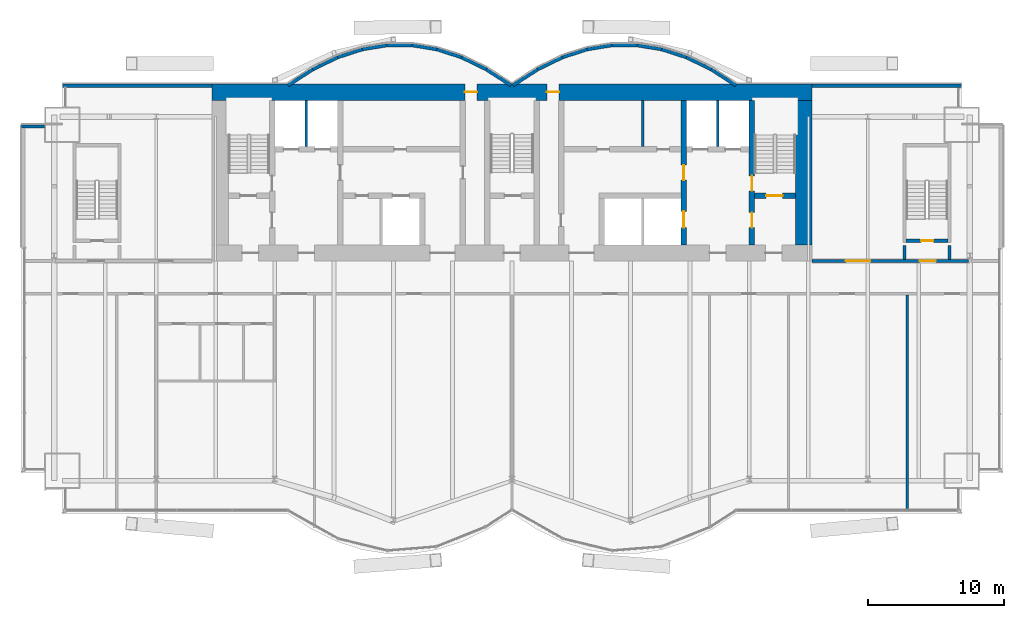
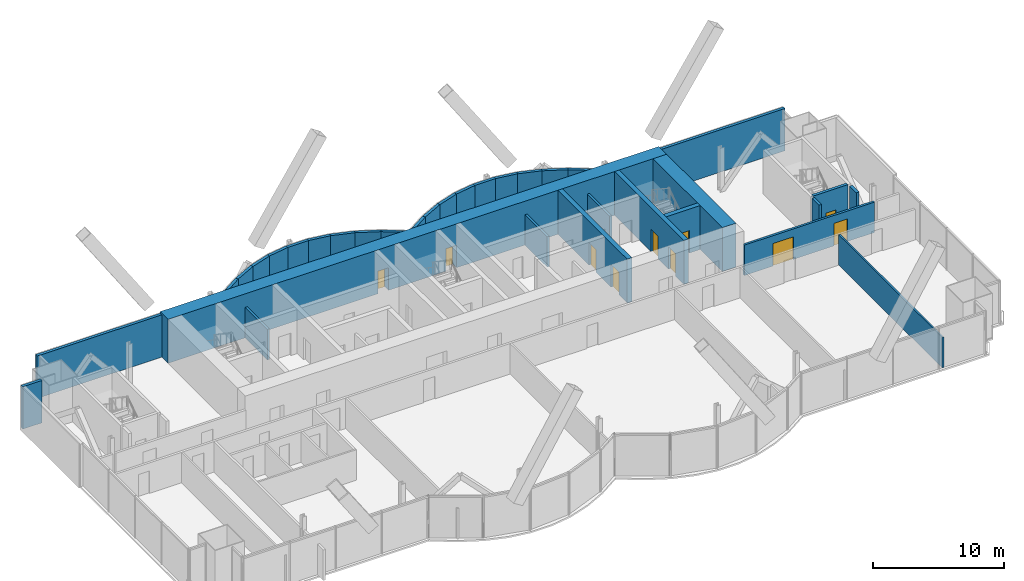
# One storey, part 16 of 20: 34 walls, 10 doors, 10 openings.
"""IFC4 building model written with IfcOpenShell, lengths in metres."""

from ifc_helpers import new_model, si_unit, direction, frame, frame_2d, origin, place, context, subcontext, project, spatial, rectangle, extrude, material, layer, layer_set, layer_usage, type_object, element, fill, save


model = new_model("IFC4")

# Units and contexts
model_context = context("Model", 3, precision=1e-05, world=origin(), true_north=direction((0.0, 1.0)))
body_context = subcontext(model_context, "Body", "Model", "MODEL_VIEW")
ifc_project = project(units=[si_unit("LENGTHUNIT", "METRE"), si_unit("AREAUNIT", "SQUARE_METRE"), si_unit("VOLUMEUNIT", "CUBIC_METRE"), si_unit("PLANEANGLEUNIT", "RADIAN"), si_unit("MASSUNIT", "GRAM", prefix="KILO")], contexts=[model_context])

# Site, building, storey
site_placement = place(None, origin())
site = spatial("IfcSite", under=ifc_project, at=site_placement, CompositionType="ELEMENT")
building_placement = place(site_placement, origin())
building = spatial("IfcBuilding", under=site, at=building_placement, Name="Bicima Exchange Tower", CompositionType="ELEMENT")
storey_placement = place(building_placement, frame((0.0, 0.0, 219.60009765625)))
storey = spatial("IfcBuildingStorey", under=building, at=storey_placement, Name="L49", CompositionType="ELEMENT", Elevation=219.60009765625)

# Walls
ifc_material_1 = material(Name="Gypsum board partition")
ifc_layer_1 = layer(ifc_material_1, 0.199951171875)
ifc_layer_set_1 = layer_set([ifc_layer_1], Name="Gypsum board partition")
wall_type_1 = type_object("IfcWallType", Name="Fire-rated gypsum partition 200 EI120", PredefinedType="PARTITIONING", material=ifc_layer_set_1)
for number, where, z_axis, x_axis, name in (
    (1, (-15.10009765625, -4.60009765625, 0.0), (0.0, 0.0, 1.0), (0.0, 1.0, 0.0), "partition wall 9"),
    (2, (15.10009765625, -4.60009765625, 0.0), (0.0, 0.0, 1.0), (0.0, 1.0, 0.0), "partition wall 21"),
):
    element("IfcWall", number, at=place(storey_placement, frame(where, z_axis=z_axis, x_axis=x_axis)), inside=storey, type_object=wall_type_1, Name=name, PredefinedType="PARTITIONING", context=body_context, shape_type="SweptSolid", body=[
        extrude(rectangle(XDim=3.400146484375, YDim=0.199951171875, at=frame_2d((1.7001953125, 0.0))), origin(), (0.0, 0.0, 1.0), 2.840087890625),
    ])

# Wall, openings, doors
ifc_layer_2 = layer(ifc_material_1, 0.199951171875)
ifc_layer_set_2 = layer_set([ifc_layer_2], Name="Gypsum board partition")
wall_type_2 = type_object("IfcWallType", Name="Fire-rated gypsum partition 200 EI60", PredefinedType="PARTITIONING", material=ifc_layer_set_2)
wall_1_placement = place(storey_placement, frame((22.0, -13.0, 0.0), z_axis=(0.0, 0.0, 1.0), x_axis=(1.0, 0.0, 0.0)))
wall_1 = element("IfcWall", 3, at=wall_1_placement, inside=storey, type_object=wall_type_2, Name="partition wall 6", PredefinedType="PARTITIONING", context=body_context, shape_type="SweptSolid", body=[
    extrude(rectangle(XDim=11.47998046875, YDim=0.199951171875, at=frame_2d((5.739990234375, 0.0))), origin(), (0.0, 0.0, 1.0), 2.840087890625),
])
opening_1_placement = place(wall_1_placement, frame((7.89990234375, 0.0, 0.0)))
opening_1 = element("IfcOpeningElement", 4, at=opening_1_placement, cuts=wall_1, Name="Opening L49-003", PredefinedType="OPENING", context=body_context, shape_type="SweptSolid", body=[
    extrude(rectangle(XDim=1.199951171875, YDim=2.10009765625, at=frame_2d((0.60009765625, 1.050048828125))), frame((0.0, 0.11181640625, 0.0), z_axis=(0.0, -1.0, 0.0), x_axis=(1.0, 0.0, 0.0)), (0.0, 0.0, 1.0), 0.223876953125),
])
opening_2_placement = place(wall_1_placement, frame((2.5, 0.0, 0.0)))
opening_2 = element("IfcOpeningElement", 5, at=opening_2_placement, cuts=wall_1, Name="Opening L49-006", PredefinedType="OPENING", context=body_context, shape_type="SweptSolid", body=[
    extrude(rectangle(XDim=1.800048828125, YDim=2.10009765625, at=frame_2d((0.89990234375, 1.050048828125))), frame((0.0, 0.11181640625, 0.0), z_axis=(0.0, -1.0, 0.0), x_axis=(1.0, 0.0, 0.0)), (0.0, 0.0, 1.0), 0.223876953125),
])
ifc_material_2 = material(Name="Steel fire door leaf", Category="steel")
door_type_1 = type_object("IfcDoorType", Name="Door 1200 swing FD30S", OperationType="SINGLE_SWING_LEFT", PredefinedType="DOOR", material=ifc_material_2)
door_1_placement = place(opening_1_placement, origin())
door_1 = element("IfcDoor", 6, at=door_1_placement, inside=storey, type_object=door_type_1, Name="Door", OperationType="SINGLE_SWING_RIGHT", OverallHeight=2.10009765625, OverallWidth=1.199951171875, PredefinedType="DOOR", context=body_context, shape_type="SweptSolid", body=[
    extrude(rectangle(XDim=1.199951171875, YDim=2.10009765625, at=frame_2d((0.60009765625, 1.050048828125))), frame((0.0, 0.02490234375, 0.0), z_axis=(0.0, -1.0, 0.0), x_axis=(1.0, 0.0, 0.0)), (0.0, 0.0, 1.0), 0.050048828125),
])
fill(opening_1, door_1)
door_type_2 = type_object("IfcDoorType", Name="Door 1800 double swing FD30S", OperationType="DOUBLE_DOOR_SINGLE_SWING", PredefinedType="DOOR", material=ifc_material_2)
door_2_placement = place(opening_2_placement, origin())
door_2 = element("IfcDoor", 7, at=door_2_placement, inside=storey, type_object=door_type_2, Name="Door", OperationType="SINGLE_SWING_LEFT", OverallHeight=2.10009765625, OverallWidth=1.800048828125, PredefinedType="DOOR", context=body_context, shape_type="SweptSolid", body=[
    extrude(rectangle(XDim=1.800048828125, YDim=2.10009765625, at=frame_2d((0.89990234375, 1.050048828125))), frame((0.0, 0.02490234375, 0.0), z_axis=(0.0, -1.0, 0.0), x_axis=(1.0, 0.0, 0.0)), (0.0, 0.0, 1.0), 0.050048828125),
])
fill(opening_2, door_2)

# Walls
wall_2_placement = place(storey_placement, frame((9.60009765625, -4.60009765625, 0.0), z_axis=(0.0, 0.0, 1.0), x_axis=(0.0, 1.0, 0.0)))
element("IfcWall", 8, at=wall_2_placement, inside=storey, type_object=wall_type_2, Name="partition wall 19", PredefinedType="PARTITIONING", context=body_context, shape_type="SweptSolid", body=[
    extrude(rectangle(XDim=3.400146484375, YDim=0.199951171875, at=frame_2d((1.7001953125, 0.0))), origin(), (0.0, 0.0, 1.0), 2.840087890625),
])
ifc_layer_3 = layer(ifc_material_1, 0.14990234375)
ifc_layer_set_3 = layer_set([ifc_layer_3], Name="Gypsum board partition")
wall_type_3 = type_object("IfcWallType", Name="Gypsum partition 150", PredefinedType="PARTITIONING", material=ifc_layer_set_3)
wall_3_placement = place(storey_placement, frame((29.0, -31.300048828125, 0.0), z_axis=(0.0, 0.0, 1.0), x_axis=(0.0, 1.0, 0.0)))
element("IfcWall", 9, at=wall_3_placement, inside=storey, type_object=wall_type_3, Name="partition wall 26", PredefinedType="PARTITIONING", context=body_context, shape_type="SweptSolid", body=[
    extrude(rectangle(XDim=15.800048828125, YDim=0.14990234375, at=frame_2d((7.89990234375, 0.0))), origin(), (0.0, 0.0, 1.0), 2.840087890625),
])

# Wall, openings, doors
ifc_material_3 = material(Name="Concrete C50/60", Category="concrete")
ifc_layer_4 = layer(ifc_material_3, 1.199951171875)
ifc_layer_set_4 = layer_set([ifc_layer_4], Name="Concrete C50/60")
wall_type_4 = type_object("IfcWallType", Name="RC core wall 1200 C50/60", PredefinedType="SHEAR", material=ifc_layer_set_4)
wall_4_placement = place(storey_placement, frame((-22.0, -0.60009765625, 0.0), z_axis=(0.0, 0.0, 1.0), x_axis=(1.0, 0.0, 0.0)))
wall_4 = element("IfcWall", 10, at=wall_4_placement, inside=storey, type_object=wall_type_4, Name="Core wall north", PredefinedType="SHEAR", context=body_context, shape_type="SweptSolid", body=[
    extrude(rectangle(XDim=44.0, YDim=1.199951171875, at=frame_2d((22.0, 0.0))), origin(), (0.0, 0.0, 1.0), 4.099853515625),
])
opening_3_placement = place(wall_4_placement, frame((18.550048828125, 0.0, 0.0)))
opening_3 = element("IfcOpeningElement", 11, at=opening_3_placement, cuts=wall_4, Name="Opening L49-C16", PredefinedType="OPENING", context=body_context, shape_type="SweptSolid", body=[
    extrude(rectangle(XDim=0.89990234375, YDim=2.10009765625, at=frame_2d((0.449951171875, 1.050048828125))), frame((0.0, 0.61181640625, 0.0), z_axis=(0.0, -1.0, 0.0), x_axis=(1.0, 0.0, 0.0)), (0.0, 0.0, 1.0), 1.223876953125),
])
opening_4_placement = place(wall_4_placement, frame((24.550048828125, 0.0, 0.0)))
opening_4 = element("IfcOpeningElement", 12, at=opening_4_placement, cuts=wall_4, Name="Opening L49-C17", PredefinedType="OPENING", context=body_context, shape_type="SweptSolid", body=[
    extrude(rectangle(XDim=0.89990234375, YDim=2.10009765625, at=frame_2d((0.449951171875, 1.050048828125))), frame((0.0, 0.61181640625, 0.0), z_axis=(0.0, -1.0, 0.0), x_axis=(1.0, 0.0, 0.0)), (0.0, 0.0, 1.0), 1.223876953125),
])
door_type_3 = type_object("IfcDoorType", Name="Door 900 swing FD30S", OperationType="SINGLE_SWING_LEFT", PredefinedType="DOOR", material=ifc_material_2)
door_3_placement = place(opening_3_placement, origin())
door_3 = element("IfcDoor", 13, at=door_3_placement, inside=storey, type_object=door_type_3, Name="Core door", OperationType="SINGLE_SWING_LEFT", OverallHeight=2.10009765625, OverallWidth=0.89990234375, PredefinedType="DOOR", context=body_context, shape_type="SweptSolid", body=[
    extrude(rectangle(XDim=0.89990234375, YDim=2.10009765625, at=frame_2d((0.449951171875, 1.050048828125))), frame((0.0, 0.02490234375, 0.0), z_axis=(0.0, -1.0, 0.0), x_axis=(1.0, 0.0, 0.0)), (0.0, 0.0, 1.0), 0.050048828125),
])
fill(opening_3, door_3)
door_4_placement = place(opening_4_placement, origin())
door_4 = element("IfcDoor", 14, at=door_4_placement, inside=storey, type_object=door_type_3, Name="Core door", OperationType="SINGLE_SWING_LEFT", OverallHeight=2.10009765625, OverallWidth=0.89990234375, PredefinedType="DOOR", context=body_context, shape_type="SweptSolid", body=[
    extrude(rectangle(XDim=0.89990234375, YDim=2.10009765625, at=frame_2d((0.449951171875, 1.050048828125))), frame((0.0, 0.02490234375, 0.0), z_axis=(0.0, -1.0, 0.0), x_axis=(1.0, 0.0, 0.0)), (0.0, 0.0, 1.0), 0.050048828125),
])
fill(opening_4, door_4)

# Walls
wall_5_placement = place(storey_placement, frame((21.39990234375, -11.800048828125, 0.0), z_axis=(0.0, 0.0, 1.0), x_axis=(0.0, 1.0, 0.0)))
element("IfcWall", 15, at=wall_5_placement, inside=storey, type_object=wall_type_4, Name="Core wall east", PredefinedType="SHEAR", context=body_context, shape_type="SweptSolid", body=[
    extrude(rectangle(XDim=10.60009765625, YDim=1.199951171875, at=frame_2d((5.300048828125, 0.0))), origin(), (0.0, 0.0, 1.0), 4.099853515625),
])
ifc_layer_5 = layer(ifc_material_3, 0.25)
ifc_layer_set_5 = layer_set([ifc_layer_5], Name="Concrete C50/60")
wall_type_5 = type_object("IfcWallType", Name="RC core wall 250 C50/60", PredefinedType="SHEAR", material=ifc_layer_set_5)
for number, where, z_axis, x_axis, name in (
    (16, (28.800048828125, -12.89990234375, 0.0), (0.0, 0.0, 1.0), (0.0, 1.0, 0.0), "stair wall 25"),
    (17, (32.10009765625, -12.89990234375, 0.0), (0.0, 0.0, 1.0), (0.0, 1.0, 0.0), "stair wall 27"),
):
    element("IfcWall", number, at=place(storey_placement, frame(where, z_axis=z_axis, x_axis=x_axis)), inside=storey, type_object=wall_type_5, Name=name, PredefinedType="SHEAR", context=body_context, shape_type="SweptSolid", body=[
        extrude(rectangle(XDim=1.0498046875, YDim=0.25, at=frame_2d((0.52490234375, 0.0))), origin(), (0.0, 0.0, 1.0), 4.099853515625),
    ])

# Wall, opening, door
ifc_layer_6 = layer(ifc_material_3, 0.39990234375)
ifc_layer_set_6 = layer_set([ifc_layer_6], Name="Concrete C50/60")
wall_type_6 = type_object("IfcWallType", Name="RC core wall 400 C50/60", PredefinedType="SHEAR", material=ifc_layer_set_6)
wall_6_placement = place(storey_placement, frame((17.800048828125, -8.199951171875, 0.0), z_axis=(0.0, 0.0, 1.0), x_axis=(1.0, 0.0, 0.0)))
wall_6 = element("IfcWall", 18, at=wall_6_placement, inside=storey, type_object=wall_type_6, Name="stair wall 5", PredefinedType="SHEAR", context=body_context, shape_type="SweptSolid", body=[
    extrude(rectangle(XDim=3.0, YDim=0.39990234375, at=frame_2d((1.5, 0.0))), origin(), (0.0, 0.0, 1.0), 4.099853515625),
])
opening_5_placement = place(wall_6_placement, frame((0.85009765625, 0.0, 0.0)))
opening_5 = element("IfcOpeningElement", 19, at=opening_5_placement, cuts=wall_6, Name="Opening L49-C04", PredefinedType="OPENING", context=body_context, shape_type="SweptSolid", body=[
    extrude(rectangle(XDim=1.199951171875, YDim=2.10009765625, at=frame_2d((0.60009765625, 1.050048828125))), frame((0.0, 0.2119140625, 0.0), z_axis=(0.0, -1.0, 0.0), x_axis=(1.0, 0.0, 0.0)), (0.0, 0.0, 1.0), 0.423828125),
])
door_type_4 = type_object("IfcDoorType", Name="Door 1200 swing FD60S", OperationType="SINGLE_SWING_LEFT", PredefinedType="DOOR", material=ifc_material_2)
door_5_placement = place(opening_5_placement, origin())
door_5 = element("IfcDoor", 20, at=door_5_placement, inside=storey, type_object=door_type_4, Name="Core door", OperationType="SINGLE_SWING_RIGHT", OverallHeight=2.10009765625, OverallWidth=1.199951171875, PredefinedType="DOOR", context=body_context, shape_type="SweptSolid", body=[
    extrude(rectangle(XDim=1.199951171875, YDim=2.10009765625, at=frame_2d((0.60009765625, 1.050048828125))), frame((0.0, 0.02490234375, 0.0), z_axis=(0.0, -1.0, 0.0), x_axis=(1.0, 0.0, 0.0)), (0.0, 0.0, 1.0), 0.050048828125),
])
fill(opening_5, door_5)

# Wall, openings, doors
wall_7_placement = place(storey_placement, frame((12.60009765625, -11.800048828125, 0.0), z_axis=(0.0, 0.0, 1.0), x_axis=(0.0, 1.0, 0.0)))
wall_7 = element("IfcWall", 21, at=wall_7_placement, inside=storey, type_object=wall_type_6, Name="shear wall 20", PredefinedType="SHEAR", context=body_context, shape_type="SweptSolid", body=[
    extrude(rectangle(XDim=10.60009765625, YDim=0.39990234375, at=frame_2d((5.300048828125, 0.0))), origin(), (0.0, 0.0, 1.0), 4.099853515625),
])
opening_6_placement = place(wall_7_placement, frame((1.25, 0.0, 0.0)))
opening_6 = element("IfcOpeningElement", 22, at=opening_6_placement, cuts=wall_7, Name="Opening LD-MB2-L49", PredefinedType="OPENING", context=body_context, shape_type="SweptSolid", body=[
    extrude(rectangle(XDim=1.199951171875, YDim=2.10009765625, at=frame_2d((0.60009765625, 1.050048828125))), frame((0.0, 0.2119140625, 0.0), z_axis=(0.0, -1.0, 0.0), x_axis=(1.0, 0.0, 0.0)), (0.0, 0.0, 1.0), 0.423828125),
])
opening_7_placement = place(wall_7_placement, frame((4.75, 0.0, 0.0)))
opening_7 = element("IfcOpeningElement", 23, at=opening_7_placement, cuts=wall_7, Name="Opening L49-C09", PredefinedType="OPENING", context=body_context, shape_type="SweptSolid", body=[
    extrude(rectangle(XDim=1.10009765625, YDim=2.10009765625, at=frame_2d((0.550048828125, 1.050048828125))), frame((0.0, 0.2119140625, 0.0), z_axis=(0.0, -1.0, 0.0), x_axis=(1.0, 0.0, 0.0)), (0.0, 0.0, 1.0), 0.423828125),
])
door_type_5 = type_object("IfcDoorType", Name="Door 1100 swing FD60S", OperationType="SINGLE_SWING_LEFT", PredefinedType="DOOR", material=ifc_material_2)
door_6_placement = place(opening_7_placement, frame((1.10009765625, 0.0, 0.0), z_axis=(0.0, 0.0, 1.0), x_axis=(-1.0, 0.0, 0.0)))
door_6 = element("IfcDoor", 24, at=door_6_placement, inside=storey, type_object=door_type_5, Name="Core door", OperationType="SINGLE_SWING_RIGHT", OverallHeight=2.10009765625, OverallWidth=1.10009765625, PredefinedType="DOOR", context=body_context, shape_type="SweptSolid", body=[
    extrude(rectangle(XDim=1.10009765625, YDim=2.10009765625, at=frame_2d((0.550048828125, 1.050048828125))), frame((0.0, 0.02490234375, 0.0), z_axis=(0.0, -1.0, 0.0), x_axis=(1.0, 0.0, 0.0)), (0.0, 0.0, 1.0), 0.050048828125),
])
fill(opening_7, door_6)
ifc_material_4 = material(Name="Stainless steel", Category="steel")
door_type_6 = type_object("IfcDoorType", Name="Lift landing door 1200 sliding", OperationType="DOUBLE_DOOR_SLIDING", PredefinedType="DOOR", material=ifc_material_4)
door_7_placement = place(opening_6_placement, origin())
door_7 = element("IfcDoor", 25, at=door_7_placement, inside=storey, type_object=door_type_6, Name="Lift landing door MB2", OperationType="DOUBLE_DOOR_SLIDING", OverallHeight=2.10009765625, OverallWidth=1.199951171875, PredefinedType="DOOR", context=body_context, shape_type="SweptSolid", body=[
    extrude(rectangle(XDim=1.199951171875, YDim=2.10009765625, at=frame_2d((0.60009765625, 1.050048828125))), frame((0.0, 0.02490234375, 0.0), z_axis=(0.0, -1.0, 0.0), x_axis=(1.0, 0.0, 0.0)), (0.0, 0.0, 1.0), 0.050048828125),
])
fill(opening_6, door_7)

wall_8_placement = place(storey_placement, frame((17.60009765625, -11.800048828125, 0.0), z_axis=(0.0, 0.0, 1.0), x_axis=(0.0, 1.0, 0.0)))
wall_8 = element("IfcWall", 26, at=wall_8_placement, inside=storey, type_object=wall_type_6, Name="stair wall 22", PredefinedType="SHEAR", context=body_context, shape_type="SweptSolid", body=[
    extrude(rectangle(XDim=10.60009765625, YDim=0.39990234375, at=frame_2d((5.300048828125, 0.0))), origin(), (0.0, 0.0, 1.0), 4.099853515625),
])
opening_8_placement = place(wall_8_placement, frame((1.25, 0.0, 0.0)))
opening_8 = element("IfcOpeningElement", 27, at=opening_8_placement, cuts=wall_8, Name="Opening L49-C05", PredefinedType="OPENING", context=body_context, shape_type="SweptSolid", body=[
    extrude(rectangle(XDim=1.10009765625, YDim=2.10009765625, at=frame_2d((0.550048828125, 1.050048828125))), frame((0.0, 0.2119140625, 0.0), z_axis=(0.0, -1.0, 0.0), x_axis=(1.0, 0.0, 0.0)), (0.0, 0.0, 1.0), 0.423828125),
])
opening_9_placement = place(wall_8_placement, frame((3.949951171875, 0.0, 0.0)))
opening_9 = element("IfcOpeningElement", 28, at=opening_9_placement, cuts=wall_8, Name="Opening L49-C08", PredefinedType="OPENING", context=body_context, shape_type="SweptSolid", body=[
    extrude(rectangle(XDim=1.10009765625, YDim=2.10009765625, at=frame_2d((0.550048828125, 1.050048828125))), frame((0.0, 0.2119140625, 0.0), z_axis=(0.0, -1.0, 0.0), x_axis=(1.0, 0.0, 0.0)), (0.0, 0.0, 1.0), 0.423828125),
])
door_8_placement = place(opening_8_placement, origin())
door_8 = element("IfcDoor", 29, at=door_8_placement, inside=storey, type_object=door_type_5, Name="Core door", OperationType="SINGLE_SWING_LEFT", OverallHeight=2.10009765625, OverallWidth=1.10009765625, PredefinedType="DOOR", context=body_context, shape_type="SweptSolid", body=[
    extrude(rectangle(XDim=1.10009765625, YDim=2.10009765625, at=frame_2d((0.550048828125, 1.050048828125))), frame((0.0, 0.02490234375, 0.0), z_axis=(0.0, -1.0, 0.0), x_axis=(1.0, 0.0, 0.0)), (0.0, 0.0, 1.0), 0.050048828125),
])
fill(opening_8, door_8)
door_9_placement = place(opening_9_placement, origin())
door_9 = element("IfcDoor", 30, at=door_9_placement, inside=storey, type_object=door_type_5, Name="Core door", OperationType="SINGLE_SWING_RIGHT", OverallHeight=2.10009765625, OverallWidth=1.10009765625, PredefinedType="DOOR", context=body_context, shape_type="SweptSolid", body=[
    extrude(rectangle(XDim=1.10009765625, YDim=2.10009765625, at=frame_2d((0.550048828125, 1.050048828125))), frame((0.0, 0.02490234375, 0.0), z_axis=(0.0, -1.0, 0.0), x_axis=(1.0, 0.0, 0.0)), (0.0, 0.0, 1.0), 0.050048828125),
])
fill(opening_9, door_9)

# Wall, opening, door
ifc_layer_7 = layer(ifc_material_3, 0.25)
ifc_layer_set_7 = layer_set([ifc_layer_7], Name="Concrete C50/60")
wall_type_7 = type_object("IfcWallType", Name="RC stair enclosure wall 250 C50/60", PredefinedType="SHEAR", material=ifc_layer_set_7)
wall_9_placement = place(storey_placement, frame((28.925048828125, -11.5, 0.0), z_axis=(0.0, 0.0, 1.0), x_axis=(1.0, 0.0, 0.0)))
wall_9 = element("IfcWall", 31, at=wall_9_placement, inside=storey, type_object=wall_type_7, Name="East end exit stair wall S", PredefinedType="SHEAR", context=body_context, shape_type="SweptSolid", body=[
    extrude(rectangle(XDim=3.050048828125, YDim=0.25, at=frame_2d((1.52490234375, 0.0))), origin(), (0.0, 0.0, 1.0), 4.099853515625),
])
opening_10_placement = place(wall_9_placement, frame((1.10009765625, 0.0, 0.0)))
opening_10 = element("IfcOpeningElement", 32, at=opening_10_placement, cuts=wall_9, Name="Opening L49-004", PredefinedType="OPENING", context=body_context, shape_type="SweptSolid", body=[
    extrude(rectangle(XDim=0.89990234375, YDim=2.10009765625, at=frame_2d((0.449951171875, 1.050048828125))), frame((0.0, 0.136962890625, 0.0), z_axis=(0.0, -1.0, 0.0), x_axis=(1.0, 0.0, 0.0)), (0.0, 0.0, 1.0), 0.27392578125),
])
door_type_7 = type_object("IfcDoorType", Name="Door 900 swing FD60S", OperationType="SINGLE_SWING_LEFT", PredefinedType="DOOR", material=ifc_material_2)
door_10_placement = place(opening_10_placement, origin())
door_10 = element("IfcDoor", 33, at=door_10_placement, inside=storey, type_object=door_type_7, Name="Door", OperationType="SINGLE_SWING_LEFT", OverallHeight=2.10009765625, OverallWidth=0.89990234375, PredefinedType="DOOR", context=body_context, shape_type="SweptSolid", body=[
    extrude(rectangle(XDim=0.89990234375, YDim=2.10009765625, at=frame_2d((0.449951171875, 1.050048828125))), frame((0.0, 0.02490234375, 0.0), z_axis=(0.0, -1.0, 0.0), x_axis=(1.0, 0.0, 0.0)), (0.0, 0.0, 1.0), 0.050048828125),
])
fill(opening_10, door_10)

# Walls
ifc_material_5 = material(Name="Concrete C40/50", Category="concrete")
ifc_layer_8 = layer(ifc_material_5, 0.25)
ifc_layer_set_8 = layer_set([ifc_layer_8], Name="Concrete C40/50")
ifc_layer_usage = layer_usage(ifc_layer_set_8, "AXIS2", "POSITIVE", -0.125)
wall_type_8 = type_object("IfcWallType", Name="Rear backup wall 250", PredefinedType="STANDARD", material=ifc_layer_set_8)
wall_10_placement = place(storey_placement, frame((33.0, -0.125, 0.0), z_axis=(0.0, 0.0, 1.0), x_axis=(-1.0, 0.0, 0.0)))
element("IfcWall", 34, at=wall_10_placement, inside=storey, type_object=wall_type_8, material=ifc_layer_usage, Name="Rear backup wall L49 1", PredefinedType="STANDARD", context=body_context, shape_type="SweptSolid", body=[
    extrude(rectangle(XDim=11.0, YDim=0.25, at=frame_2d((5.5, 0.0))), origin(), (0.0, 0.0, 1.0), 3.949951171875),
])
wall_11_placement = place(storey_placement, frame((16.43212890625, -0.10498046875, 0.0), z_axis=(0.0, 0.0, 1.0), x_axis=(-0.83981312244, 0.542875602121, 0.0)))
element("IfcWall", 35, at=wall_11_placement, inside=storey, type_object=wall_type_8, material=ifc_layer_usage, Name="Rear backup wall L49 2", PredefinedType="STANDARD", context=body_context, shape_type="SweptSolid", body=[
    extrude(rectangle(XDim=2.182861328125, YDim=0.25, at=frame_2d((1.09130859375, 0.0))), origin(), (0.0, 0.0, 1.0), 3.949951171875),
])
wall_12_placement = place(storey_placement, frame((14.6123046875, 1.07275390625, 0.0), z_axis=(0.0, 0.0, 1.0), x_axis=(-0.89982408427, 0.436252928206, 0.0)))
element("IfcWall", 36, at=wall_12_placement, inside=storey, type_object=wall_type_8, material=ifc_layer_usage, Name="Rear backup wall L49 3", PredefinedType="STANDARD", context=body_context, shape_type="SweptSolid", body=[
    extrude(rectangle(XDim=2.03759765625, YDim=0.25, at=frame_2d((1.018798828125, 0.0))), origin(), (0.0, 0.0, 1.0), 3.949951171875),
])
wall_13_placement = place(storey_placement, frame((12.794921875, 1.955078125, 0.0), z_axis=(0.0, 0.0, 1.0), x_axis=(-0.951495806175, 0.307661714928, 0.0)))
element("IfcWall", 37, at=wall_13_placement, inside=storey, type_object=wall_type_8, material=ifc_layer_usage, Name="Rear backup wall L49 4", PredefinedType="STANDARD", context=body_context, shape_type="SweptSolid", body=[
    extrude(rectangle(XDim=1.9267578125, YDim=0.25, at=frame_2d((0.96337890625, 0.0))), origin(), (0.0, 0.0, 1.0), 3.949951171875),
])
wall_14_placement = place(storey_placement, frame((10.97998046875, 2.543212890625, 0.0), z_axis=(0.0, 0.0, 1.0), x_axis=(-0.987181718931, 0.159600293885, 0.0)))
element("IfcWall", 38, at=wall_14_placement, inside=storey, type_object=wall_type_8, material=ifc_layer_usage, Name="Rear backup wall L49 5", PredefinedType="STANDARD", context=body_context, shape_type="SweptSolid", body=[
    extrude(rectangle(XDim=1.857177734375, YDim=0.25, at=frame_2d((0.9287109375, 0.0))), origin(), (0.0, 0.0, 1.0), 3.949951171875),
])
wall_15_placement = place(storey_placement, frame((9.166748046875, 2.837890625, 0.0), z_axis=(0.0, 0.0, 1.0), x_axis=(-1.0, 0.0, 0.0)))
element("IfcWall", 39, at=wall_15_placement, inside=storey, type_object=wall_type_8, material=ifc_layer_usage, Name="Rear backup wall L49 6", PredefinedType="STANDARD", context=body_context, shape_type="SweptSolid", body=[
    extrude(rectangle(XDim=1.83349609375, YDim=0.25, at=frame_2d((0.916748046875, 0.0))), origin(), (0.0, 0.0, 1.0), 3.949951171875),
])
wall_16_placement = place(storey_placement, frame((7.353271484375, 2.839599609375, 0.0), z_axis=(0.0, 0.0, 1.0), x_axis=(-0.987181718931, -0.159600293885, 0.0)))
element("IfcWall", 40, at=wall_16_placement, inside=storey, type_object=wall_type_8, material=ifc_layer_usage, Name="Rear backup wall L49 7", PredefinedType="STANDARD", context=body_context, shape_type="SweptSolid", body=[
    extrude(rectangle(XDim=1.857177734375, YDim=0.25, at=frame_2d((0.9287109375, 0.0))), origin(), (0.0, 0.0, 1.0), 3.949951171875),
])
wall_17_placement = place(storey_placement, frame((5.538330078125, 2.5478515625, 0.0), z_axis=(0.0, 0.0, 1.0), x_axis=(-0.951495806175, -0.307661714928, 0.0)))
element("IfcWall", 41, at=wall_17_placement, inside=storey, type_object=wall_type_8, material=ifc_layer_usage, Name="Rear backup wall L49 8", PredefinedType="STANDARD", context=body_context, shape_type="SweptSolid", body=[
    extrude(rectangle(XDim=1.9267578125, YDim=0.25, at=frame_2d((0.96337890625, 0.0))), origin(), (0.0, 0.0, 1.0), 3.949951171875),
])
wall_18_placement = place(storey_placement, frame((3.72119140625, 1.961669921875, 0.0), z_axis=(0.0, 0.0, 1.0), x_axis=(-0.89982408427, -0.436252928206, 0.0)))
element("IfcWall", 42, at=wall_18_placement, inside=storey, type_object=wall_type_8, material=ifc_layer_usage, Name="Rear backup wall L49 9", PredefinedType="STANDARD", context=body_context, shape_type="SweptSolid", body=[
    extrude(rectangle(XDim=2.03759765625, YDim=0.25, at=frame_2d((1.018798828125, 0.0))), origin(), (0.0, 0.0, 1.0), 3.949951171875),
])
for number, where, z_axis, x_axis, name in (
    (43, (1.901123046875, 1.080078125, 0.0), (0.0, 0.0, 1.0), (-0.83981312244, -0.542875602121, 0.0), "Rear backup wall L49 10"),
    (44, (-0.06787109375, -0.10498046875, 0.0), (0.0, 0.0, 1.0), (-0.83981312244, 0.542875602121, 0.0), "Rear backup wall L49 11"),
):
    element("IfcWall", number, at=place(storey_placement, frame(where, z_axis=z_axis, x_axis=x_axis)), inside=storey, type_object=wall_type_8, material=ifc_layer_usage, Name=name, PredefinedType="STANDARD", context=body_context, shape_type="SweptSolid", body=[
        extrude(rectangle(XDim=2.182861328125, YDim=0.25, at=frame_2d((1.09130859375, 0.0))), origin(), (0.0, 0.0, 1.0), 3.949951171875),
    ])
wall_19_placement = place(storey_placement, frame((-1.8876953125, 1.07275390625, 0.0), z_axis=(0.0, 0.0, 1.0), x_axis=(-0.89982408427, 0.436252928206, 0.0)))
element("IfcWall", 45, at=wall_19_placement, inside=storey, type_object=wall_type_8, material=ifc_layer_usage, Name="Rear backup wall L49 12", PredefinedType="STANDARD", context=body_context, shape_type="SweptSolid", body=[
    extrude(rectangle(XDim=2.03759765625, YDim=0.25, at=frame_2d((1.018798828125, 0.0))), origin(), (0.0, 0.0, 1.0), 3.949951171875),
])
wall_20_placement = place(storey_placement, frame((-3.705078125, 1.955078125, 0.0), z_axis=(0.0, 0.0, 1.0), x_axis=(-0.951495806175, 0.307661714928, 0.0)))
element("IfcWall", 46, at=wall_20_placement, inside=storey, type_object=wall_type_8, material=ifc_layer_usage, Name="Rear backup wall L49 13", PredefinedType="STANDARD", context=body_context, shape_type="SweptSolid", body=[
    extrude(rectangle(XDim=1.9267578125, YDim=0.25, at=frame_2d((0.96337890625, 0.0))), origin(), (0.0, 0.0, 1.0), 3.949951171875),
])
wall_21_placement = place(storey_placement, frame((-5.52001953125, 2.543212890625, 0.0), z_axis=(0.0, 0.0, 1.0), x_axis=(-0.987181718931, 0.159600293885, 0.0)))
element("IfcWall", 47, at=wall_21_placement, inside=storey, type_object=wall_type_8, material=ifc_layer_usage, Name="Rear backup wall L49 14", PredefinedType="STANDARD", context=body_context, shape_type="SweptSolid", body=[
    extrude(rectangle(XDim=1.857177734375, YDim=0.25, at=frame_2d((0.9287109375, 0.0))), origin(), (0.0, 0.0, 1.0), 3.949951171875),
])
wall_22_placement = place(storey_placement, frame((-7.333251953125, 2.837890625, 0.0), z_axis=(0.0, 0.0, 1.0), x_axis=(-1.0, 0.0, 0.0)))
element("IfcWall", 48, at=wall_22_placement, inside=storey, type_object=wall_type_8, material=ifc_layer_usage, Name="Rear backup wall L49 15", PredefinedType="STANDARD", context=body_context, shape_type="SweptSolid", body=[
    extrude(rectangle(XDim=1.83349609375, YDim=0.25, at=frame_2d((0.916748046875, 0.0))), origin(), (0.0, 0.0, 1.0), 3.949951171875),
])
wall_23_placement = place(storey_placement, frame((-9.146728515625, 2.839599609375, 0.0), z_axis=(0.0, 0.0, 1.0), x_axis=(-0.987181718931, -0.159600293885, 0.0)))
element("IfcWall", 49, at=wall_23_placement, inside=storey, type_object=wall_type_8, material=ifc_layer_usage, Name="Rear backup wall L49 16", PredefinedType="STANDARD", context=body_context, shape_type="SweptSolid", body=[
    extrude(rectangle(XDim=1.857177734375, YDim=0.25, at=frame_2d((0.9287109375, 0.0))), origin(), (0.0, 0.0, 1.0), 3.949951171875),
])
wall_24_placement = place(storey_placement, frame((-10.961669921875, 2.5478515625, 0.0), z_axis=(0.0, 0.0, 1.0), x_axis=(-0.951495806175, -0.307661714928, 0.0)))
element("IfcWall", 50, at=wall_24_placement, inside=storey, type_object=wall_type_8, material=ifc_layer_usage, Name="Rear backup wall L49 17", PredefinedType="STANDARD", context=body_context, shape_type="SweptSolid", body=[
    extrude(rectangle(XDim=1.9267578125, YDim=0.25, at=frame_2d((0.96337890625, 0.0))), origin(), (0.0, 0.0, 1.0), 3.949951171875),
])
wall_25_placement = place(storey_placement, frame((-12.77880859375, 1.961669921875, 0.0), z_axis=(0.0, 0.0, 1.0), x_axis=(-0.89982408427, -0.436252928206, 0.0)))
element("IfcWall", 51, at=wall_25_placement, inside=storey, type_object=wall_type_8, material=ifc_layer_usage, Name="Rear backup wall L49 18", PredefinedType="STANDARD", context=body_context, shape_type="SweptSolid", body=[
    extrude(rectangle(XDim=2.03759765625, YDim=0.25, at=frame_2d((1.018798828125, 0.0))), origin(), (0.0, 0.0, 1.0), 3.949951171875),
])
wall_26_placement = place(storey_placement, frame((-14.598876953125, 1.080078125, 0.0), z_axis=(0.0, 0.0, 1.0), x_axis=(-0.83981312244, -0.542875602121, 0.0)))
element("IfcWall", 52, at=wall_26_placement, inside=storey, type_object=wall_type_8, material=ifc_layer_usage, Name="Rear backup wall L49 19", PredefinedType="STANDARD", context=body_context, shape_type="SweptSolid", body=[
    extrude(rectangle(XDim=2.182861328125, YDim=0.25, at=frame_2d((1.09130859375, 0.0))), origin(), (0.0, 0.0, 1.0), 3.949951171875),
])
wall_27_placement = place(storey_placement, frame((-22.0, -0.125, 0.0), z_axis=(0.0, 0.0, 1.0), x_axis=(-1.0, 0.0, 0.0)))
element("IfcWall", 53, at=wall_27_placement, inside=storey, type_object=wall_type_8, material=ifc_layer_usage, Name="Rear backup wall L49 20", PredefinedType="STANDARD", context=body_context, shape_type="SweptSolid", body=[
    extrude(rectangle(XDim=11.0, YDim=0.25, at=frame_2d((5.5, 0.0))), origin(), (0.0, 0.0, 1.0), 3.949951171875),
])
wall_28_placement = place(storey_placement, frame((-34.300048828125, -3.125, 0.0), z_axis=(0.0, 0.0, 1.0), x_axis=(-1.0, 0.0, 0.0)))
element("IfcWall", 54, at=wall_28_placement, inside=storey, type_object=wall_type_8, material=ifc_layer_usage, Name="Rear backup wall L49 22", PredefinedType="STANDARD", context=body_context, shape_type="SweptSolid", body=[
    extrude(rectangle(XDim=1.699951171875, YDim=0.25, at=frame_2d((0.85009765625, 0.0))), origin(), (0.0, 0.0, 1.0), 3.949951171875),
])

save(model, "model.ifc")
